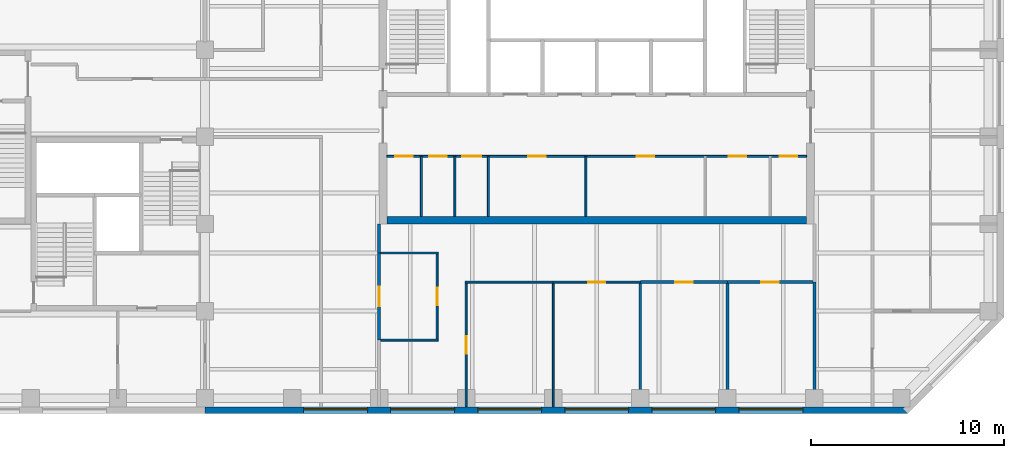
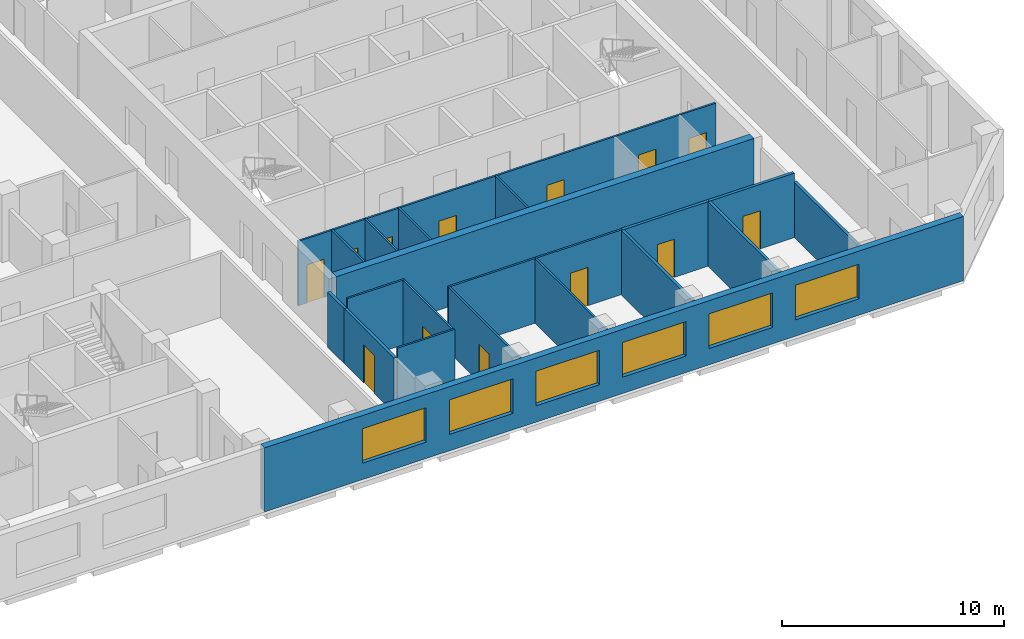
# One storey, part 4 of 9: 21 walls, 13 doors, 6 windows, 19 openings.
"""IFC4 building model written with IfcOpenShell, lengths in metres."""

from ifc_helpers import new_model, si_unit, direction, frame, frame_2d, origin, place, context, subcontext, project, spatial, rectangle, extrude, material, layer, layer_set, constituent, constituent_set, type_object, element, fill, save


model = new_model("IFC4")

# Units and contexts
model_context = context("Model", 3, precision=1e-05, world=origin(), true_north=direction((0.0, 1.0)))
body_context = subcontext(model_context, "Body", "Model", "MODEL_VIEW")
ifc_project = project(units=[si_unit("LENGTHUNIT", "METRE"), si_unit("AREAUNIT", "SQUARE_METRE"), si_unit("VOLUMEUNIT", "CUBIC_METRE"), si_unit("PLANEANGLEUNIT", "RADIAN"), si_unit("MASSUNIT", "GRAM", prefix="KILO")], contexts=[model_context])

# Site, building, storey
site_placement = place(None, origin())
site = spatial("IfcSite", under=ifc_project, at=site_placement, CompositionType="ELEMENT")
building_placement = place(site_placement, origin())
building = spatial("IfcBuilding", under=site, at=building_placement, Name="Quoin Convention Tower", CompositionType="ELEMENT")
storey_placement = place(building_placement, frame((0.0, 0.0, 151.39990234375)))
storey = spatial("IfcBuildingStorey", under=building, at=storey_placement, Name="L39", CompositionType="ELEMENT", Elevation=151.39990234375)

# Wall, opening, door
ifc_material_1 = material(Name="Plasterboard")
ifc_layer_1 = layer(ifc_material_1, 0.012451171875, Name="Finish")
ifc_material_2 = material(Name="Steel stud framing", Category="steel")
ifc_layer_2 = layer(ifc_material_2, 0.125, Name="Structure")
ifc_layer_3 = layer(ifc_material_1, 0.012451171875, Name="Finish")
ifc_layer_set_1 = layer_set([ifc_layer_1, ifc_layer_2, ifc_layer_3], Name="Steel stud framing")
wall_type_1 = type_object("IfcWallType", Name="Acoustic partition 150", PredefinedType="PARTITIONING", material=ifc_layer_set_1)
wall_1_placement = place(storey_placement, frame((58.5, 46.5, 0.0), z_axis=(0.0, 0.0, 1.0), x_axis=(1.0, 0.0, 0.0)))
wall_1 = element("IfcWall", 1, at=wall_1_placement, inside=storey, type_object=wall_type_1, Name="pw-L39-009", PredefinedType="PARTITIONING", context=body_context, shape_type="SweptSolid", body=[
    extrude(rectangle(XDim=4.5, YDim=0.14990234375, at=frame_2d((2.25, 0.0))), origin(), (0.0, 0.0, 1.0), 3.550048828125),
])
opening_1_placement = place(wall_1_placement, frame((1.800048828125, 0.0, 0.0)))
opening_1 = element("IfcOpeningElement", 2, at=opening_1_placement, cuts=wall_1, Name="Opening DOH1-03", PredefinedType="OPENING", context=body_context, shape_type="SweptSolid", body=[
    extrude(rectangle(XDim=0.89990234375, YDim=2.10009765625, at=frame_2d((0.449951171875, 1.050048828125))), frame((0.0, 0.0849609375, 0.0), z_axis=(0.0, -1.0, 0.0), x_axis=(1.0, 0.0, 0.0)), (0.0, 0.0, 1.0), 0.169921875),
])
ifc_material_3 = material(Name="Steel door leaf", Category="steel")
door_type_1 = type_object("IfcDoorType", Name="Office door 900 x 2100", OperationType="SINGLE_SWING_RIGHT", PredefinedType="DOOR", material=ifc_material_3)
door_1_placement = place(opening_1_placement, origin())
door_1 = element("IfcDoor", 3, at=door_1_placement, inside=storey, type_object=door_type_1, Name="dr-L39-20", OperationType="SINGLE_SWING_RIGHT", OverallHeight=2.10009765625, OverallWidth=0.89990234375, PredefinedType="DOOR", context=body_context, shape_type="SweptSolid", body=[
    extrude(rectangle(XDim=0.89990234375, YDim=2.10009765625, at=frame_2d((0.449951171875, 1.050048828125))), frame((0.0, 0.02490234375, 0.0), z_axis=(0.0, -1.0, 0.0), x_axis=(1.0, 0.0, 0.0)), (0.0, 0.0, 1.0), 0.050048828125),
])
fill(opening_1, door_1)

wall_2_placement = place(storey_placement, frame((63.0, 46.5, 0.0), z_axis=(0.0, 0.0, 1.0), x_axis=(1.0, 0.0, 0.0)))
wall_2 = element("IfcWall", 4, at=wall_2_placement, inside=storey, type_object=wall_type_1, Name="pw-L39-010", PredefinedType="PARTITIONING", context=body_context, shape_type="SweptSolid", body=[
    extrude(rectangle(XDim=4.425048828125, YDim=0.14990234375, at=frame_2d((2.21240234375, 0.0))), origin(), (0.0, 0.0, 1.0), 3.550048828125),
])
opening_2_placement = place(wall_2_placement, frame((1.75, 0.0, 0.0)))
opening_2 = element("IfcOpeningElement", 5, at=opening_2_placement, cuts=wall_2, Name="Opening DOH1-04", PredefinedType="OPENING", context=body_context, shape_type="SweptSolid", body=[
    extrude(rectangle(XDim=0.89990234375, YDim=2.10009765625, at=frame_2d((0.449951171875, 1.050048828125))), frame((0.0, 0.0849609375, 0.0), z_axis=(0.0, -1.0, 0.0), x_axis=(1.0, 0.0, 0.0)), (0.0, 0.0, 1.0), 0.169921875),
])
door_2_placement = place(opening_2_placement, origin())
door_2 = element("IfcDoor", 6, at=door_2_placement, inside=storey, type_object=door_type_1, Name="dr-L39-21", OperationType="SINGLE_SWING_RIGHT", OverallHeight=2.10009765625, OverallWidth=0.89990234375, PredefinedType="DOOR", context=body_context, shape_type="SweptSolid", body=[
    extrude(rectangle(XDim=0.89990234375, YDim=2.10009765625, at=frame_2d((0.449951171875, 1.050048828125))), frame((0.0, 0.02490234375, 0.0), z_axis=(0.0, -1.0, 0.0), x_axis=(1.0, 0.0, 0.0)), (0.0, 0.0, 1.0), 0.050048828125),
])
fill(opening_2, door_2)

# Walls
for number, where, z_axis, x_axis, name in (
    (7, (58.5, 40.050048828125, 0.0), (0.0, 0.0, 1.0), (0.0, 1.0, 0.0), "pw-L39-044"),
    (8, (63.0, 40.050048828125, 0.0), (0.0, 0.0, 1.0), (0.0, 1.0, 0.0), "pw-L39-045"),
):
    element("IfcWall", number, at=place(storey_placement, frame(where, z_axis=z_axis, x_axis=x_axis)), inside=storey, type_object=wall_type_1, Name=name, PredefinedType="PARTITIONING", context=body_context, shape_type="SweptSolid", body=[
        extrude(rectangle(XDim=6.375, YDim=0.14990234375, at=frame_2d((3.1875, 0.0))), origin(), (0.0, 0.0, 1.0), 3.550048828125),
    ])

# Wall, openings, windows
ifc_material_4 = material(Name="Brick masonry", Category="masonry")
ifc_layer_4 = layer(ifc_material_4, 0.35009765625)
ifc_layer_set_2 = layer_set([ifc_layer_4], Name="Brick masonry")
wall_type_2 = type_object("IfcWallType", Name="Brick facade wall", PredefinedType="STANDARD", material=ifc_layer_set_2)
wall_3_placement = place(storey_placement, frame((36.0, 39.875, 0.0), z_axis=(0.0, 0.0, 1.0), x_axis=(1.0, 0.0, 0.0)))
wall_3 = element("IfcWall", 9, at=wall_3_placement, inside=storey, type_object=wall_type_2, Name="fw-L39-36000_40500", PredefinedType="STANDARD", context=body_context, shape_type="SweptSolid", body=[
    extrude(rectangle(XDim=36.331298828125, YDim=0.35009765625, at=frame_2d((18.16552734375, 0.0))), origin(), (0.0, 0.0, 1.0), 3.525146484375),
])
opening_3_placement = place(wall_3_placement, frame((5.10009765625, 0.0, 0.89990234375)))
opening_3 = element("IfcOpeningElement", 10, at=opening_3_placement, cuts=wall_3, Name="Opening W-02", PredefinedType="OPENING", context=body_context, shape_type="SweptSolid", body=[
    extrude(rectangle(XDim=3.300048828125, YDim=1.89990234375, at=frame_2d((1.64990234375, 0.949951171875))), frame((0.0, 0.18505859375, 0.0), z_axis=(0.0, -1.0, 0.0), x_axis=(1.0, 0.0, 0.0)), (0.0, 0.0, 1.0), 0.3701171875),
])
opening_4_placement = place(wall_3_placement, frame((9.60009765625, 0.0, 0.89990234375)))
opening_4 = element("IfcOpeningElement", 11, at=opening_4_placement, cuts=wall_3, Name="Opening W-02", PredefinedType="OPENING", context=body_context, shape_type="SweptSolid", body=[
    extrude(rectangle(XDim=3.300048828125, YDim=1.89990234375, at=frame_2d((1.64990234375, 0.949951171875))), frame((0.0, 0.18505859375, 0.0), z_axis=(0.0, -1.0, 0.0), x_axis=(1.0, 0.0, 0.0)), (0.0, 0.0, 1.0), 0.3701171875),
])
opening_5_placement = place(wall_3_placement, frame((14.10009765625, 0.0, 0.89990234375)))
opening_5 = element("IfcOpeningElement", 12, at=opening_5_placement, cuts=wall_3, Name="Opening W-02", PredefinedType="OPENING", context=body_context, shape_type="SweptSolid", body=[
    extrude(rectangle(XDim=3.300048828125, YDim=1.89990234375, at=frame_2d((1.64990234375, 0.949951171875))), frame((0.0, 0.18505859375, 0.0), z_axis=(0.0, -1.0, 0.0), x_axis=(1.0, 0.0, 0.0)), (0.0, 0.0, 1.0), 0.3701171875),
])
opening_6_placement = place(wall_3_placement, frame((18.60009765625, 0.0, 0.89990234375)))
opening_6 = element("IfcOpeningElement", 13, at=opening_6_placement, cuts=wall_3, Name="Opening W-02", PredefinedType="OPENING", context=body_context, shape_type="SweptSolid", body=[
    extrude(rectangle(XDim=3.300048828125, YDim=1.89990234375, at=frame_2d((1.64990234375, 0.949951171875))), frame((0.0, 0.18505859375, 0.0), z_axis=(0.0, -1.0, 0.0), x_axis=(1.0, 0.0, 0.0)), (0.0, 0.0, 1.0), 0.3701171875),
])
opening_7_placement = place(wall_3_placement, frame((23.10009765625, 0.0, 0.89990234375)))
opening_7 = element("IfcOpeningElement", 14, at=opening_7_placement, cuts=wall_3, Name="Opening W-02", PredefinedType="OPENING", context=body_context, shape_type="SweptSolid", body=[
    extrude(rectangle(XDim=3.300048828125, YDim=1.89990234375, at=frame_2d((1.64990234375, 0.949951171875))), frame((0.0, 0.18505859375, 0.0), z_axis=(0.0, -1.0, 0.0), x_axis=(1.0, 0.0, 0.0)), (0.0, 0.0, 1.0), 0.3701171875),
])
opening_8_placement = place(wall_3_placement, frame((27.60009765625, 0.0, 0.89990234375)))
opening_8 = element("IfcOpeningElement", 15, at=opening_8_placement, cuts=wall_3, Name="Opening W-02", PredefinedType="OPENING", context=body_context, shape_type="SweptSolid", body=[
    extrude(rectangle(XDim=3.300048828125, YDim=1.89990234375, at=frame_2d((1.64990234375, 0.949951171875))), frame((0.0, 0.18505859375, 0.0), z_axis=(0.0, -1.0, 0.0), x_axis=(1.0, 0.0, 0.0)), (0.0, 0.0, 1.0), 0.3701171875),
])
ifc_material_5 = material(Name="Aluminium", Category="aluminium")
ifc_constituent_1 = constituent(ifc_material_5, Name="Frame")
ifc_material_6 = material(Name="Insulated glass", Category="glass")
ifc_constituent_2 = constituent(ifc_material_6, Name="Glazing")
ifc_constituent_set = constituent_set(constituents=[ifc_constituent_1, ifc_constituent_2], Name="Aluminium")
window_type = type_object("IfcWindowType", Name="Office window", PartitioningType="DOUBLE_PANEL_VERTICAL", PredefinedType="WINDOW", material=ifc_constituent_set)
window_1_placement = place(opening_3_placement, origin())
window_1 = element("IfcWindow", 16, at=window_1_placement, inside=storey, type_object=window_type, Name="win-L39-42750_39875", OverallHeight=1.89990234375, OverallWidth=3.300048828125, PartitioningType="SINGLE_PANEL", PredefinedType="WINDOW", context=body_context, shape_type="SweptSolid", body=[
    extrude(rectangle(XDim=3.300048828125, YDim=1.89990234375, at=frame_2d((1.64990234375, 0.949951171875))), frame((0.0, 0.0849609375, 0.0), z_axis=(0.0, -1.0, 0.0), x_axis=(1.0, 0.0, 0.0)), (0.0, 0.0, 1.0), 0.06005859375),
])
fill(opening_3, window_1)
window_2_placement = place(opening_4_placement, origin())
window_2 = element("IfcWindow", 17, at=window_2_placement, inside=storey, type_object=window_type, Name="win-L39-47250_39875", OverallHeight=1.89990234375, OverallWidth=3.300048828125, PartitioningType="SINGLE_PANEL", PredefinedType="WINDOW", context=body_context, shape_type="SweptSolid", body=[
    extrude(rectangle(XDim=3.300048828125, YDim=1.89990234375, at=frame_2d((1.64990234375, 0.949951171875))), frame((0.0, 0.0849609375, 0.0), z_axis=(0.0, -1.0, 0.0), x_axis=(1.0, 0.0, 0.0)), (0.0, 0.0, 1.0), 0.06005859375),
])
fill(opening_4, window_2)
window_3_placement = place(opening_5_placement, origin())
window_3 = element("IfcWindow", 18, at=window_3_placement, inside=storey, type_object=window_type, Name="win-L39-51750_39875", OverallHeight=1.89990234375, OverallWidth=3.300048828125, PartitioningType="SINGLE_PANEL", PredefinedType="WINDOW", context=body_context, shape_type="SweptSolid", body=[
    extrude(rectangle(XDim=3.300048828125, YDim=1.89990234375, at=frame_2d((1.64990234375, 0.949951171875))), frame((0.0, 0.0849609375, 0.0), z_axis=(0.0, -1.0, 0.0), x_axis=(1.0, 0.0, 0.0)), (0.0, 0.0, 1.0), 0.06005859375),
])
fill(opening_5, window_3)
window_4_placement = place(opening_6_placement, origin())
window_4 = element("IfcWindow", 19, at=window_4_placement, inside=storey, type_object=window_type, Name="win-L39-56250_39875", OverallHeight=1.89990234375, OverallWidth=3.300048828125, PartitioningType="SINGLE_PANEL", PredefinedType="WINDOW", context=body_context, shape_type="SweptSolid", body=[
    extrude(rectangle(XDim=3.300048828125, YDim=1.89990234375, at=frame_2d((1.64990234375, 0.949951171875))), frame((0.0, 0.0849609375, 0.0), z_axis=(0.0, -1.0, 0.0), x_axis=(1.0, 0.0, 0.0)), (0.0, 0.0, 1.0), 0.06005859375),
])
fill(opening_6, window_4)
window_5_placement = place(opening_7_placement, origin())
window_5 = element("IfcWindow", 20, at=window_5_placement, inside=storey, type_object=window_type, Name="win-L39-60750_39875", OverallHeight=1.89990234375, OverallWidth=3.300048828125, PartitioningType="SINGLE_PANEL", PredefinedType="WINDOW", context=body_context, shape_type="SweptSolid", body=[
    extrude(rectangle(XDim=3.300048828125, YDim=1.89990234375, at=frame_2d((1.64990234375, 0.949951171875))), frame((0.0, 0.0849609375, 0.0), z_axis=(0.0, -1.0, 0.0), x_axis=(1.0, 0.0, 0.0)), (0.0, 0.0, 1.0), 0.06005859375),
])
fill(opening_7, window_5)
window_6_placement = place(opening_8_placement, origin())
window_6 = element("IfcWindow", 21, at=window_6_placement, inside=storey, type_object=window_type, Name="win-L39-65250_39875", OverallHeight=1.89990234375, OverallWidth=3.300048828125, PartitioningType="SINGLE_PANEL", PredefinedType="WINDOW", context=body_context, shape_type="SweptSolid", body=[
    extrude(rectangle(XDim=3.300048828125, YDim=1.89990234375, at=frame_2d((1.64990234375, 0.949951171875))), frame((0.0, 0.0849609375, 0.0), z_axis=(0.0, -1.0, 0.0), x_axis=(1.0, 0.0, 0.0)), (0.0, 0.0, 1.0), 0.06005859375),
])
fill(opening_8, window_6)

# Wall, openings, doors
ifc_layer_5 = layer(ifc_material_1, 0.012451171875, Name="Finish")
ifc_layer_6 = layer(ifc_material_2, 0.074951171875, Name="Structure")
ifc_layer_7 = layer(ifc_material_1, 0.012451171875, Name="Finish")
ifc_layer_set_3 = layer_set([ifc_layer_5, ifc_layer_6, ifc_layer_7], Name="Steel stud framing")
wall_type_3 = type_object("IfcWallType", Name="Core partition wall", PredefinedType="PARTITIONING", material=ifc_layer_set_3)
wall_4_placement = place(storey_placement, frame((45.39990234375, 53.0, 0.0), z_axis=(0.0, 0.0, 1.0), x_axis=(1.0, 0.0, 0.0)))
wall_4 = element("IfcWall", 22, at=wall_4_placement, inside=storey, type_object=wall_type_3, Name="cr-C1-L39-h3500_400", PredefinedType="PARTITIONING", context=body_context, shape_type="SweptSolid", body=[
    extrude(rectangle(XDim=21.7001953125, YDim=0.10009765625, at=frame_2d((10.85009765625, 0.0))), origin(), (0.0, 0.0, 1.0), 3.550048828125),
])
opening_9_placement = place(wall_4_placement, frame((20.304931640625, 0.0, 0.0)))
opening_9 = element("IfcOpeningElement", 23, at=opening_9_placement, cuts=wall_4, Name="Opening DCV1-36", PredefinedType="OPENING", context=body_context, shape_type="SweptSolid", body=[
    extrude(rectangle(XDim=0.89990234375, YDim=2.10009765625, at=frame_2d((0.449951171875, 1.050048828125))), frame((0.0, 0.06005859375, 0.0), z_axis=(0.0, -1.0, 0.0), x_axis=(1.0, 0.0, 0.0)), (0.0, 0.0, 1.0), 0.1201171875),
])
opening_10_placement = place(wall_4_placement, frame((17.679931640625, 0.0, 0.0)))
opening_10 = element("IfcOpeningElement", 24, at=opening_10_placement, cuts=wall_4, Name="Opening DCV1-35", PredefinedType="OPENING", context=body_context, shape_type="SweptSolid", body=[
    extrude(rectangle(XDim=0.89990234375, YDim=2.10009765625, at=frame_2d((0.449951171875, 1.050048828125))), frame((0.0, 0.06005859375, 0.0), z_axis=(0.0, -1.0, 0.0), x_axis=(1.0, 0.0, 0.0)), (0.0, 0.0, 1.0), 0.1201171875),
])
opening_11_placement = place(wall_4_placement, frame((0.4423828125, 0.0, 0.0)))
opening_11 = element("IfcOpeningElement", 25, at=opening_11_placement, cuts=wall_4, Name="Opening DCV1-27", PredefinedType="OPENING", context=body_context, shape_type="SweptSolid", body=[
    extrude(rectangle(XDim=0.89990234375, YDim=2.10009765625, at=frame_2d((0.449951171875, 1.050048828125))), frame((0.0, 0.06005859375, 0.0), z_axis=(0.0, -1.0, 0.0), x_axis=(1.0, 0.0, 0.0)), (0.0, 0.0, 1.0), 0.1201171875),
])
opening_12_placement = place(wall_4_placement, frame((2.201416015625, 0.0, 0.0)))
opening_12 = element("IfcOpeningElement", 26, at=opening_12_placement, cuts=wall_4, Name="Opening DCV1-28", PredefinedType="OPENING", context=body_context, shape_type="SweptSolid", body=[
    extrude(rectangle(XDim=0.89990234375, YDim=2.10009765625, at=frame_2d((0.449951171875, 1.050048828125))), frame((0.0, 0.06005859375, 0.0), z_axis=(0.0, -1.0, 0.0), x_axis=(1.0, 0.0, 0.0)), (0.0, 0.0, 1.0), 0.1201171875),
])
opening_13_placement = place(wall_4_placement, frame((3.8837890625, 0.0, 0.0)))
opening_13 = element("IfcOpeningElement", 27, at=opening_13_placement, cuts=wall_4, Name="Opening DCV1-29", PredefinedType="OPENING", context=body_context, shape_type="SweptSolid", body=[
    extrude(rectangle(XDim=1.0, YDim=2.10009765625, at=frame_2d((0.5, 1.050048828125))), frame((0.0, 0.06005859375, 0.0), z_axis=(0.0, -1.0, 0.0), x_axis=(1.0, 0.0, 0.0)), (0.0, 0.0, 1.0), 0.1201171875),
])
opening_14_placement = place(wall_4_placement, frame((7.320068359375, 0.0, 0.0)))
opening_14 = element("IfcOpeningElement", 28, at=opening_14_placement, cuts=wall_4, Name="Opening DCV1-31", PredefinedType="OPENING", context=body_context, shape_type="SweptSolid", body=[
    extrude(rectangle(XDim=0.89990234375, YDim=2.10009765625, at=frame_2d((0.449951171875, 1.050048828125))), frame((0.0, 0.06005859375, 0.0), z_axis=(0.0, -1.0, 0.0), x_axis=(1.0, 0.0, 0.0)), (0.0, 0.0, 1.0), 0.1201171875),
])
opening_15_placement = place(wall_4_placement, frame((12.919921875, 0.0, 0.0)))
opening_15 = element("IfcOpeningElement", 29, at=opening_15_placement, cuts=wall_4, Name="Opening DCV1-33", PredefinedType="OPENING", context=body_context, shape_type="SweptSolid", body=[
    extrude(rectangle(XDim=0.89990234375, YDim=2.10009765625, at=frame_2d((0.449951171875, 1.050048828125))), frame((0.0, 0.06005859375, 0.0), z_axis=(0.0, -1.0, 0.0), x_axis=(1.0, 0.0, 0.0)), (0.0, 0.0, 1.0), 0.1201171875),
])
door_type_2 = type_object("IfcDoorType", Name="Core room door 1000 x 2100", OperationType="SINGLE_SWING_LEFT", PredefinedType="DOOR", material=ifc_material_3)
door_3_placement = place(opening_13_placement, frame((1.0, 0.0, 0.0), z_axis=(0.0, 0.0, 1.0), x_axis=(-1.0, 0.0, 0.0)))
door_3 = element("IfcDoor", 30, at=door_3_placement, inside=storey, type_object=door_type_2, Name="cd-C1-L39-CSW2-lobA-CD3914", OperationType="SINGLE_SWING_LEFT", OverallHeight=2.10009765625, OverallWidth=1.0, PredefinedType="DOOR", context=body_context, shape_type="SweptSolid", body=[
    extrude(rectangle(XDim=1.0, YDim=2.10009765625, at=frame_2d((0.5, 1.050048828125))), frame((0.0, 0.02490234375, 0.0), z_axis=(0.0, -1.0, 0.0), x_axis=(1.0, 0.0, 0.0)), (0.0, 0.0, 1.0), 0.050048828125),
])
fill(opening_13, door_3)
door_type_3 = type_object("IfcDoorType", Name="Core room door 900 x 2100", OperationType="SINGLE_SWING_LEFT", PredefinedType="DOOR", material=ifc_material_3)
door_4_placement = place(opening_9_placement, frame((0.89990234375, 0.0, 0.0), z_axis=(0.0, 0.0, 1.0), x_axis=(-1.0, 0.0, 0.0)))
door_4 = element("IfcDoor", 31, at=door_4_placement, inside=storey, type_object=door_type_3, Name="cd-C1-L39-CSE0-lobA-CD3910", OperationType="SINGLE_SWING_LEFT", OverallHeight=2.10009765625, OverallWidth=0.89990234375, PredefinedType="DOOR", context=body_context, shape_type="SweptSolid", body=[
    extrude(rectangle(XDim=0.89990234375, YDim=2.10009765625, at=frame_2d((0.449951171875, 1.050048828125))), frame((0.0, 0.02490234375, 0.0), z_axis=(0.0, -1.0, 0.0), x_axis=(1.0, 0.0, 0.0)), (0.0, 0.0, 1.0), 0.050048828125),
])
fill(opening_9, door_4)
door_5_placement = place(opening_10_placement, frame((0.89990234375, 0.0, 0.0), z_axis=(0.0, 0.0, 1.0), x_axis=(-1.0, 0.0, 0.0)))
door_5 = element("IfcDoor", 32, at=door_5_placement, inside=storey, type_object=door_type_3, Name="cd-C1-L39-CSE1-lobA-CD3911", OperationType="SINGLE_SWING_LEFT", OverallHeight=2.10009765625, OverallWidth=0.89990234375, PredefinedType="DOOR", context=body_context, shape_type="SweptSolid", body=[
    extrude(rectangle(XDim=0.89990234375, YDim=2.10009765625, at=frame_2d((0.449951171875, 1.050048828125))), frame((0.0, 0.02490234375, 0.0), z_axis=(0.0, -1.0, 0.0), x_axis=(1.0, 0.0, 0.0)), (0.0, 0.0, 1.0), 0.050048828125),
])
fill(opening_10, door_5)
door_6_placement = place(opening_11_placement, frame((0.89990234375, 0.0, 0.0), z_axis=(0.0, 0.0, 1.0), x_axis=(-1.0, 0.0, 0.0)))
door_6 = element("IfcDoor", 33, at=door_6_placement, inside=storey, type_object=door_type_3, Name="cd-C1-L39-CSW0-lobA-CD3912", OperationType="SINGLE_SWING_LEFT", OverallHeight=2.10009765625, OverallWidth=0.89990234375, PredefinedType="DOOR", context=body_context, shape_type="SweptSolid", body=[
    extrude(rectangle(XDim=0.89990234375, YDim=2.10009765625, at=frame_2d((0.449951171875, 1.050048828125))), frame((0.0, 0.02490234375, 0.0), z_axis=(0.0, -1.0, 0.0), x_axis=(1.0, 0.0, 0.0)), (0.0, 0.0, 1.0), 0.050048828125),
])
fill(opening_11, door_6)
door_7_placement = place(opening_12_placement, frame((0.89990234375, 0.0, 0.0), z_axis=(0.0, 0.0, 1.0), x_axis=(-1.0, 0.0, 0.0)))
door_7 = element("IfcDoor", 34, at=door_7_placement, inside=storey, type_object=door_type_3, Name="cd-C1-L39-CSW1-lobA-CD3913", OperationType="SINGLE_SWING_LEFT", OverallHeight=2.10009765625, OverallWidth=0.89990234375, PredefinedType="DOOR", context=body_context, shape_type="SweptSolid", body=[
    extrude(rectangle(XDim=0.89990234375, YDim=2.10009765625, at=frame_2d((0.449951171875, 1.050048828125))), frame((0.0, 0.02490234375, 0.0), z_axis=(0.0, -1.0, 0.0), x_axis=(1.0, 0.0, 0.0)), (0.0, 0.0, 1.0), 0.050048828125),
])
fill(opening_12, door_7)
door_8_placement = place(opening_14_placement, frame((0.89990234375, 0.0, 0.0), z_axis=(0.0, 0.0, 1.0), x_axis=(-1.0, 0.0, 0.0)))
door_8 = element("IfcDoor", 35, at=door_8_placement, inside=storey, type_object=door_type_3, Name="cd-C1-L39-F10-lobA-CD3915", OperationType="SINGLE_SWING_LEFT", OverallHeight=2.10009765625, OverallWidth=0.89990234375, PredefinedType="DOOR", context=body_context, shape_type="SweptSolid", body=[
    extrude(rectangle(XDim=0.89990234375, YDim=2.10009765625, at=frame_2d((0.449951171875, 1.050048828125))), frame((0.0, 0.02490234375, 0.0), z_axis=(0.0, -1.0, 0.0), x_axis=(1.0, 0.0, 0.0)), (0.0, 0.0, 1.0), 0.050048828125),
])
fill(opening_14, door_8)
door_9_placement = place(opening_15_placement, frame((0.89990234375, 0.0, 0.0), z_axis=(0.0, 0.0, 1.0), x_axis=(-1.0, 0.0, 0.0)))
door_9 = element("IfcDoor", 36, at=door_9_placement, inside=storey, type_object=door_type_3, Name="cd-C1-L39-F11-lobA-CD3916", OperationType="SINGLE_SWING_LEFT", OverallHeight=2.10009765625, OverallWidth=0.89990234375, PredefinedType="DOOR", context=body_context, shape_type="SweptSolid", body=[
    extrude(rectangle(XDim=0.89990234375, YDim=2.10009765625, at=frame_2d((0.449951171875, 1.050048828125))), frame((0.0, 0.02490234375, 0.0), z_axis=(0.0, -1.0, 0.0), x_axis=(1.0, 0.0, 0.0)), (0.0, 0.0, 1.0), 0.050048828125),
])
fill(opening_15, door_9)

# Walls
for number, where, z_axis, x_axis, name in (
    (37, (47.18505859375, 49.89990234375, 0.0), (0.0, 0.0, 1.0), (0.0, 1.0, 0.0), "cr-C1-L39-v2185_400"),
    (38, (48.91748046875, 49.89990234375, 0.0), (0.0, 0.0, 1.0), (0.0, 1.0, 0.0), "cr-C1-L39-v3918_400"),
    (39, (50.64990234375, 49.89990234375, 0.0), (0.0, 0.0, 1.0), (0.0, 1.0, 0.0), "cr-C1-L39-v5650_400"),
    (40, (55.68994140625, 49.89990234375, 0.0), (0.0, 0.0, 1.0), (0.0, 1.0, 0.0), "cr-C1-L39-v10690_400"),
):
    element("IfcWall", number, at=place(storey_placement, frame(where, z_axis=z_axis, x_axis=x_axis)), inside=storey, type_object=wall_type_3, Name=name, PredefinedType="PARTITIONING", context=body_context, shape_type="SweptSolid", body=[
        extrude(rectangle(XDim=3.10009765625, YDim=0.10009765625, at=frame_2d((1.550048828125, 0.0))), origin(), (0.0, 0.0, 1.0), 3.550048828125),
    ])
ifc_layer_8 = layer(ifc_material_1, 0.012451171875, Name="Finish")
ifc_layer_9 = layer(ifc_material_2, 0.125, Name="Structure")
ifc_layer_10 = layer(ifc_material_1, 0.012451171875, Name="Finish")
ifc_layer_set_4 = layer_set([ifc_layer_8, ifc_layer_9, ifc_layer_10], Name="Steel stud framing")
wall_type_4 = type_object("IfcWallType", Name="Corridor wall 150 under beam 528", PredefinedType="PARTITIONING", material=ifc_layer_set_4)
wall_5_placement = place(storey_placement, frame((67.5, 40.050048828125, 0.0), z_axis=(0.0, 0.0, 1.0), x_axis=(0.0, 1.0, 0.0)))
element("IfcWall", 41, at=wall_5_placement, inside=storey, type_object=wall_type_4, Name="pw-L39-046", PredefinedType="PARTITIONING", context=body_context, shape_type="SweptSolid", body=[
    extrude(rectangle(XDim=6.449951171875, YDim=0.14990234375, at=frame_2d((3.22509765625, 0.0))), origin(), (0.0, 0.0, 1.0), 3.022216796875),
])

# Wall, opening, door
wall_6_placement = place(storey_placement, frame((45.0, 43.5, 0.0), z_axis=(0.0, 0.0, 1.0), x_axis=(0.0, 1.0, 0.0)))
wall_6 = element("IfcWall", 42, at=wall_6_placement, inside=storey, type_object=wall_type_4, Name="pw-L39-049", PredefinedType="PARTITIONING", context=body_context, shape_type="SweptSolid", body=[
    extrude(rectangle(XDim=4.5, YDim=0.14990234375, at=frame_2d((2.25, 0.0))), origin(), (0.0, 0.0, 1.0), 3.022216796875),
])
opening_16_placement = place(wall_6_placement, frame((1.75, 0.0, 0.0)))
opening_16 = element("IfcOpeningElement", 43, at=opening_16_placement, cuts=wall_6, Name="Opening DOH1-15", PredefinedType="OPENING", context=body_context, shape_type="SweptSolid", body=[
    extrude(rectangle(XDim=1.0, YDim=2.10009765625, at=frame_2d((0.5, 1.050048828125))), frame((0.0, 0.0849609375, 0.0), z_axis=(0.0, -1.0, 0.0), x_axis=(1.0, 0.0, 0.0)), (0.0, 0.0, 1.0), 0.169921875),
])
door_type_4 = type_object("IfcDoorType", Name="Tenancy entrance door 1000 x 2100", OperationType="DOUBLE_DOOR_SINGLE_SWING", PredefinedType="DOOR", material=ifc_material_3)
door_10_placement = place(opening_16_placement, frame((1.0, 0.0, 0.0), z_axis=(0.0, 0.0, 1.0), x_axis=(-1.0, 0.0, 0.0)))
door_10 = element("IfcDoor", 44, at=door_10_placement, inside=storey, type_object=door_type_4, Name="dr-L39-16", OperationType="DOUBLE_DOOR_SINGLE_SWING", OverallHeight=2.10009765625, OverallWidth=1.0, PredefinedType="DOOR", context=body_context, shape_type="SweptSolid", body=[
    extrude(rectangle(XDim=1.0, YDim=2.10009765625, at=frame_2d((0.5, 1.050048828125))), frame((0.0, 0.02490234375, 0.0), z_axis=(0.0, -1.0, 0.0), x_axis=(1.0, 0.0, 0.0)), (0.0, 0.0, 1.0), 0.050048828125),
])
fill(opening_16, door_10)

# Walls
wall_7_placement = place(storey_placement, frame((45.0, 48.0, 0.0), z_axis=(0.0, 0.0, 1.0), x_axis=(0.0, 1.0, 0.0)))
element("IfcWall", 45, at=wall_7_placement, inside=storey, type_object=wall_type_4, Name="pw-L39-058", PredefinedType="PARTITIONING", context=body_context, shape_type="SweptSolid", body=[
    extrude(rectangle(XDim=1.5, YDim=0.14990234375, at=frame_2d((0.75, 0.0))), origin(), (0.0, 0.0, 1.0), 3.022216796875),
])
ifc_material_7 = material(Name="Concrete C50", Category="concrete")
ifc_layer_11 = layer(ifc_material_7, 0.39990234375)
ifc_layer_set_5 = layer_set([ifc_layer_11], Name="Concrete C50")
wall_type_5 = type_object("IfcWallType", Name="RC CORE WALL 400 C50", PredefinedType="SHEAR", material=ifc_layer_set_5)
wall_8_placement = place(storey_placement, frame((45.39990234375, 49.699951171875, 0.0), z_axis=(0.0, 0.0, 1.0), x_axis=(1.0, 0.0, 0.0)))
element("IfcWall", 46, at=wall_8_placement, inside=storey, type_object=wall_type_5, Name="cwl-C1-L39-S", PredefinedType="SHEAR", context=body_context, shape_type="SweptSolid", body=[
    extrude(rectangle(XDim=21.7001953125, YDim=0.39990234375, at=frame_2d((10.85009765625, 0.0))), origin(), (0.0, 0.0, 1.0), 3.7001953125),
])
ifc_layer_12 = layer(ifc_material_1, 0.012451171875, Name="Finish")
ifc_layer_13 = layer(ifc_material_2, 0.074951171875, Name="Structure")
ifc_layer_14 = layer(ifc_material_1, 0.012451171875, Name="Finish")
ifc_layer_set_6 = layer_set([ifc_layer_12, ifc_layer_13, ifc_layer_14], Name="Steel stud framing")
wall_type_6 = type_object("IfcWallType", Name="Stud partition 100", PredefinedType="PARTITIONING", material=ifc_layer_set_6)
wall_9_placement = place(storey_placement, frame((45.074951171875, 43.5, 0.0), z_axis=(0.0, 0.0, 1.0), x_axis=(1.0, 0.0, 0.0)))
element("IfcWall", 47, at=wall_9_placement, inside=storey, type_object=wall_type_6, Name="pw-L39-001", PredefinedType="PARTITIONING", context=body_context, shape_type="SweptSolid", body=[
    extrude(rectangle(XDim=2.97509765625, YDim=0.10009765625, at=frame_2d((1.487548828125, 0.0))), origin(), (0.0, 0.0, 1.0), 3.550048828125),
])
wall_10_placement = place(storey_placement, frame((49.449951171875, 46.5, 0.0), z_axis=(0.0, 0.0, 1.0), x_axis=(1.0, 0.0, 0.0)))
element("IfcWall", 48, at=wall_10_placement, inside=storey, type_object=wall_type_6, Name="pw-L39-007", PredefinedType="PARTITIONING", context=body_context, shape_type="SweptSolid", body=[
    extrude(rectangle(XDim=4.550048828125, YDim=0.10009765625, at=frame_2d((2.27490234375, 0.0))), origin(), (0.0, 0.0, 1.0), 3.550048828125),
])

# Wall, opening, door
wall_11_placement = place(storey_placement, frame((54.0, 46.5, 0.0), z_axis=(0.0, 0.0, 1.0), x_axis=(1.0, 0.0, 0.0)))
wall_11 = element("IfcWall", 49, at=wall_11_placement, inside=storey, type_object=wall_type_6, Name="pw-L39-008", PredefinedType="PARTITIONING", context=body_context, shape_type="SweptSolid", body=[
    extrude(rectangle(XDim=4.5, YDim=0.10009765625, at=frame_2d((2.25, 0.0))), origin(), (0.0, 0.0, 1.0), 3.550048828125),
])
opening_17_placement = place(wall_11_placement, frame((1.800048828125, 0.0, 0.0)))
opening_17 = element("IfcOpeningElement", 50, at=opening_17_placement, cuts=wall_11, Name="Opening DOH1-02", PredefinedType="OPENING", context=body_context, shape_type="SweptSolid", body=[
    extrude(rectangle(XDim=0.89990234375, YDim=2.10009765625, at=frame_2d((0.449951171875, 1.050048828125))), frame((0.0, 0.06005859375, 0.0), z_axis=(0.0, -1.0, 0.0), x_axis=(1.0, 0.0, 0.0)), (0.0, 0.0, 1.0), 0.1201171875),
])
door_11_placement = place(opening_17_placement, origin())
door_11 = element("IfcDoor", 51, at=door_11_placement, inside=storey, type_object=door_type_1, Name="dr-L39-19", OperationType="SINGLE_SWING_RIGHT", OverallHeight=2.10009765625, OverallWidth=0.89990234375, PredefinedType="DOOR", context=body_context, shape_type="SweptSolid", body=[
    extrude(rectangle(XDim=0.89990234375, YDim=2.10009765625, at=frame_2d((0.449951171875, 1.050048828125))), frame((0.0, 0.02490234375, 0.0), z_axis=(0.0, -1.0, 0.0), x_axis=(1.0, 0.0, 0.0)), (0.0, 0.0, 1.0), 0.050048828125),
])
fill(opening_17, door_11)

# Wall
wall_12_placement = place(storey_placement, frame((45.074951171875, 48.0, 0.0), z_axis=(0.0, 0.0, 1.0), x_axis=(1.0, 0.0, 0.0)))
element("IfcWall", 52, at=wall_12_placement, inside=storey, type_object=wall_type_6, Name="pw-L39-011", PredefinedType="PARTITIONING", context=body_context, shape_type="SweptSolid", body=[
    extrude(rectangle(XDim=2.97509765625, YDim=0.10009765625, at=frame_2d((1.487548828125, 0.0))), origin(), (0.0, 0.0, 1.0), 3.550048828125),
])

# Wall, opening, door
wall_13_placement = place(storey_placement, frame((49.5, 40.050048828125, 0.0), z_axis=(0.0, 0.0, 1.0), x_axis=(0.0, 1.0, 0.0)))
wall_13 = element("IfcWall", 53, at=wall_13_placement, inside=storey, type_object=wall_type_6, Name="pw-L39-042", PredefinedType="PARTITIONING", context=body_context, shape_type="SweptSolid", body=[
    extrude(rectangle(XDim=6.39990234375, YDim=0.10009765625, at=frame_2d((3.199951171875, 0.0))), origin(), (0.0, 0.0, 1.0), 3.550048828125),
])
opening_18_placement = place(wall_13_placement, frame((2.75, 0.0, 0.0)))
opening_18 = element("IfcOpeningElement", 54, at=opening_18_placement, cuts=wall_13, Name="Opening DOH1-12", PredefinedType="OPENING", context=body_context, shape_type="SweptSolid", body=[
    extrude(rectangle(XDim=0.89990234375, YDim=2.10009765625, at=frame_2d((0.449951171875, 1.050048828125))), frame((0.0, 0.06005859375, 0.0), z_axis=(0.0, -1.0, 0.0), x_axis=(1.0, 0.0, 0.0)), (0.0, 0.0, 1.0), 0.1201171875),
])
door_12_placement = place(opening_18_placement, origin())
door_12 = element("IfcDoor", 55, at=door_12_placement, inside=storey, type_object=door_type_1, Name="dr-L39-18", OperationType="SINGLE_SWING_RIGHT", OverallHeight=2.10009765625, OverallWidth=0.89990234375, PredefinedType="DOOR", context=body_context, shape_type="SweptSolid", body=[
    extrude(rectangle(XDim=0.89990234375, YDim=2.10009765625, at=frame_2d((0.449951171875, 1.050048828125))), frame((0.0, 0.02490234375, 0.0), z_axis=(0.0, -1.0, 0.0), x_axis=(1.0, 0.0, 0.0)), (0.0, 0.0, 1.0), 0.050048828125),
])
fill(opening_18, door_12)

# Wall
wall_14_placement = place(storey_placement, frame((54.0, 40.050048828125, 0.0), z_axis=(0.0, 0.0, 1.0), x_axis=(0.0, 1.0, 0.0)))
element("IfcWall", 56, at=wall_14_placement, inside=storey, type_object=wall_type_6, Name="pw-L39-043", PredefinedType="PARTITIONING", context=body_context, shape_type="SweptSolid", body=[
    extrude(rectangle(XDim=6.39990234375, YDim=0.10009765625, at=frame_2d((3.199951171875, 0.0))), origin(), (0.0, 0.0, 1.0), 3.550048828125),
])

# Wall, opening, door
wall_15_placement = place(storey_placement, frame((48.0, 43.550048828125, 0.0), z_axis=(0.0, 0.0, 1.0), x_axis=(0.0, 1.0, 0.0)))
wall_15 = element("IfcWall", 57, at=wall_15_placement, inside=storey, type_object=wall_type_6, Name="pw-L39-050", PredefinedType="PARTITIONING", context=body_context, shape_type="SweptSolid", body=[
    extrude(rectangle(XDim=4.39990234375, YDim=0.10009765625, at=frame_2d((2.199951171875, 0.0))), origin(), (0.0, 0.0, 1.0), 3.550048828125),
])
opening_19_placement = place(wall_15_placement, frame((1.75, 0.0, 0.0)))
opening_19 = element("IfcOpeningElement", 58, at=opening_19_placement, cuts=wall_15, Name="Opening DOH1-16", PredefinedType="OPENING", context=body_context, shape_type="SweptSolid", body=[
    extrude(rectangle(XDim=0.89990234375, YDim=2.10009765625, at=frame_2d((0.449951171875, 1.050048828125))), frame((0.0, 0.06005859375, 0.0), z_axis=(0.0, -1.0, 0.0), x_axis=(1.0, 0.0, 0.0)), (0.0, 0.0, 1.0), 0.1201171875),
])
door_13_placement = place(opening_19_placement, frame((0.89990234375, 0.0, 0.0), z_axis=(0.0, 0.0, 1.0), x_axis=(-1.0, 0.0, 0.0)))
door_13 = element("IfcDoor", 59, at=door_13_placement, inside=storey, type_object=door_type_1, Name="dr-L39-17", OperationType="SINGLE_SWING_LEFT", OverallHeight=2.10009765625, OverallWidth=0.89990234375, PredefinedType="DOOR", context=body_context, shape_type="SweptSolid", body=[
    extrude(rectangle(XDim=0.89990234375, YDim=2.10009765625, at=frame_2d((0.449951171875, 1.050048828125))), frame((0.0, 0.02490234375, 0.0), z_axis=(0.0, -1.0, 0.0), x_axis=(1.0, 0.0, 0.0)), (0.0, 0.0, 1.0), 0.050048828125),
])
fill(opening_19, door_13)

save(model, "model.ifc")
